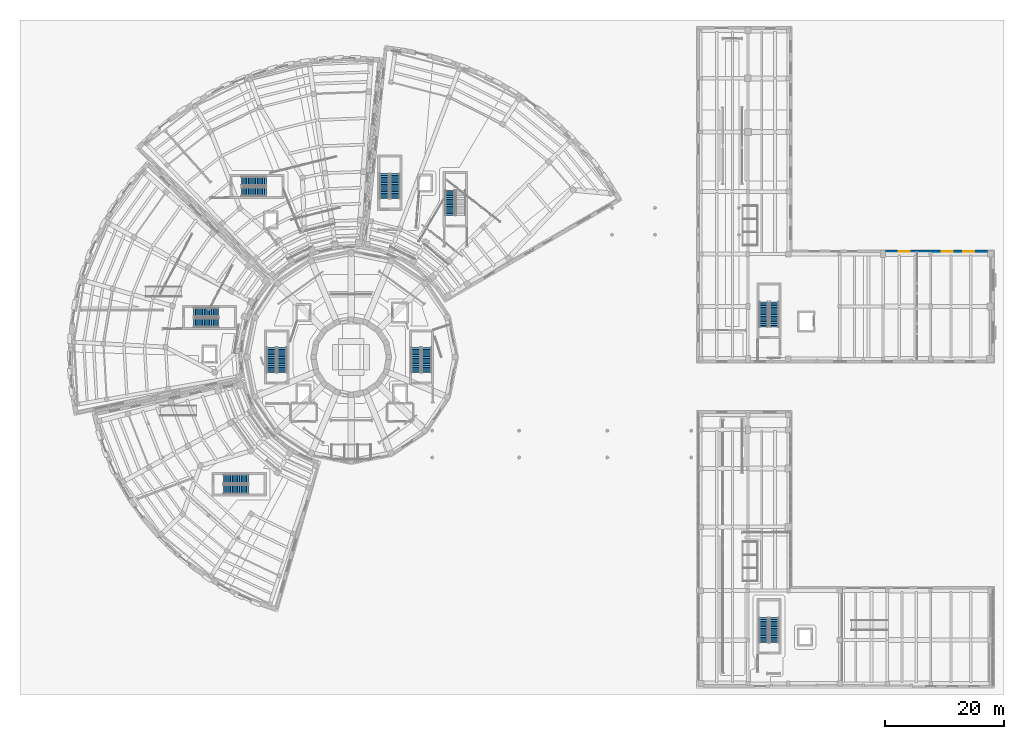
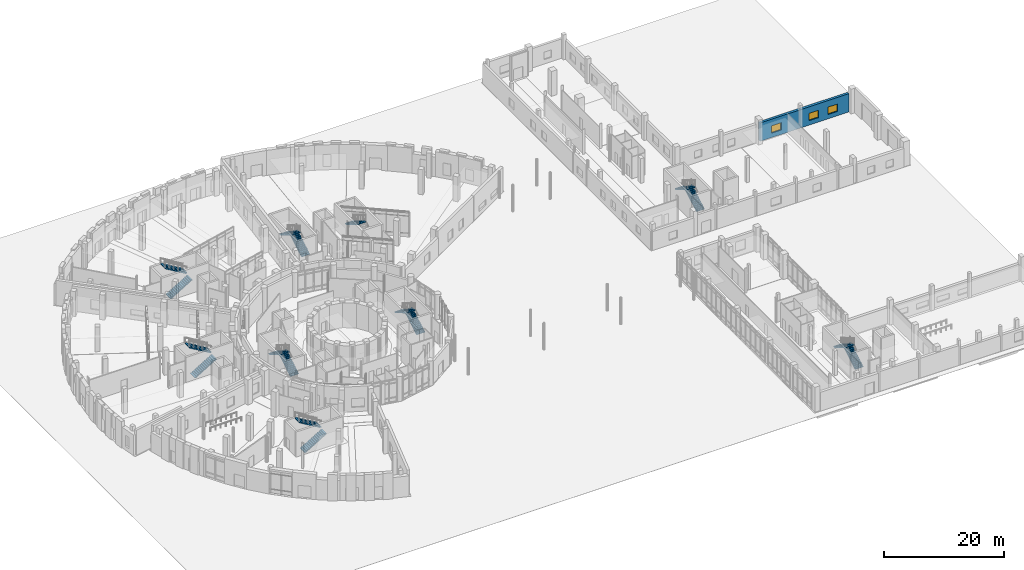
# One storey, part 55 of 74: 17 stair flights, 3 windows, 1 wall, 3 openings, 9 elements without a shape of their own.
"""IFC4 building model written with IfcOpenShell, lengths in metres."""

from ifc_helpers import new_model, si_unit, direction, frame, frame_2d, origin, place, context, subcontext, project, spatial, polyline, rectangle, outline, extrude, material, layer, layer_set, type_object, element, fill, aggregate, save


model = new_model("IFC4")

# Units and contexts
model_context = context("Model", 3, precision=1e-05, world=origin(), true_north=direction((0.0, 1.0)))
body_context = subcontext(model_context, "Body", "Model", "MODEL_VIEW")
ifc_project = project(units=[si_unit("LENGTHUNIT", "METRE"), si_unit("AREAUNIT", "SQUARE_METRE"), si_unit("VOLUMEUNIT", "CUBIC_METRE"), si_unit("PLANEANGLEUNIT", "RADIAN"), si_unit("MASSUNIT", "GRAM", prefix="KILO")], contexts=[model_context])

# Site, building, storey
site_placement = place(None, origin())
site = spatial("IfcSite", under=ifc_project, at=site_placement, CompositionType="ELEMENT")
building_placement = place(site_placement, origin())
building = spatial("IfcBuilding", under=site, at=building_placement, Name="Soyqirgoq Riverine Aquarium", CompositionType="ELEMENT")
storey_placement = place(building_placement, origin())
storey = spatial("IfcBuildingStorey", under=building, at=storey_placement, Name="L01", CompositionType="ELEMENT", Elevation=0.0)

# Wall, openings, windows
ifc_material_1 = material(Name="Honed travertine limestone cavity wall", Category="masonry")
ifc_layer = layer(ifc_material_1, 0.47998046875)
ifc_layer_set = layer_set([ifc_layer], Name="Honed travertine limestone cavity wall")
wall_type = type_object("IfcWallType", Name="TravertineCavityWall_480", PredefinedType="SOLIDWALL", material=ifc_layer_set)
wall_placement = place(storey_placement, frame((145.669921875, 74.75, 0.0), z_axis=(0.0, 0.0, 1.0), x_axis=(1.0, 0.0, 0.0)))
wall = element("IfcWall", 1, at=wall_placement, inside=storey, type_object=wall_type, Name="V7 L01 Exterior Travertine Wall 0372", PredefinedType="SOLIDWALL", context=body_context, shape_type="SweptSolid", body=[
    extrude(rectangle(XDim=17.16015625, YDim=0.47998046875, at=frame_2d((8.580078125, 0.0))), origin(), (0.0, 0.0, 1.0), 3.739990234375),
])
opening_1_placement = place(wall_placement, frame((2.2548828125, 0.0, 0.89990234375)))
opening_1 = element("IfcOpeningElement", 2, at=opening_1_placement, cuts=wall, Name="Opening WN-16", PredefinedType="OPENING", context=body_context, shape_type="SweptSolid", body=[
    extrude(rectangle(XDim=1.85009765625, YDim=1.5, at=frame_2d((0.925048828125, 0.75))), frame((0.0, 0.25, 0.0), z_axis=(0.0, -1.0, 0.0), x_axis=(1.0, 0.0, 0.0)), (0.0, 0.0, 1.0), 0.5),
])
opening_2_placement = place(wall_placement, frame((9.455078125, 0.0, 0.89990234375)))
opening_2 = element("IfcOpeningElement", 3, at=opening_2_placement, cuts=wall, Name="Opening WN-16", PredefinedType="OPENING", context=body_context, shape_type="SweptSolid", body=[
    extrude(rectangle(XDim=1.85009765625, YDim=1.5, at=frame_2d((0.925048828125, 0.75))), frame((0.0, 0.25, 0.0), z_axis=(0.0, -1.0, 0.0), x_axis=(1.0, 0.0, 0.0)), (0.0, 0.0, 1.0), 0.5),
])
opening_3_placement = place(wall_placement, frame((13.054931640625, 0.0, 0.89990234375)))
opening_3 = element("IfcOpeningElement", 4, at=opening_3_placement, cuts=wall, Name="Opening WN-16", PredefinedType="OPENING", context=body_context, shape_type="SweptSolid", body=[
    extrude(rectangle(XDim=1.85009765625, YDim=1.5, at=frame_2d((0.925048828125, 0.75))), frame((0.0, 0.25, 0.0), z_axis=(0.0, -1.0, 0.0), x_axis=(1.0, 0.0, 0.0)), (0.0, 0.0, 1.0), 0.5),
])
ifc_material_2 = material(Name="Thermally broken aluminium triple low-E window", Category="aluminium")
window_type = type_object("IfcWindowType", Name="Win_Lab_1850x1500", PartitioningType="DOUBLE_PANEL_VERTICAL", PredefinedType="WINDOW", material=ifc_material_2)
window_1_placement = place(opening_1_placement, origin())
window_1 = element("IfcWindow", 5, at=window_1_placement, inside=storey, type_object=window_type, Name="V7 L01 Facade Window 0324", OverallHeight=1.5, OverallWidth=1.85009765625, PartitioningType="DOUBLE_PANEL_VERTICAL", PredefinedType="WINDOW", context=body_context, shape_type="SweptSolid", body=[
    extrude(rectangle(XDim=1.85009765625, YDim=1.5, at=frame_2d((0.925048828125, 0.75))), frame((0.0, 0.030029296875, 0.0), z_axis=(0.0, -1.0, 0.0), x_axis=(1.0, 0.0, 0.0)), (0.0, 0.0, 1.0), 0.06005859375),
])
fill(opening_1, window_1)
window_2_placement = place(opening_2_placement, origin())
window_2 = element("IfcWindow", 6, at=window_2_placement, inside=storey, type_object=window_type, Name="V7 L01 Facade Window 0325", OverallHeight=1.5, OverallWidth=1.85009765625, PartitioningType="DOUBLE_PANEL_VERTICAL", PredefinedType="WINDOW", context=body_context, shape_type="SweptSolid", body=[
    extrude(rectangle(XDim=1.85009765625, YDim=1.5, at=frame_2d((0.925048828125, 0.75))), frame((0.0, 0.030029296875, 0.0), z_axis=(0.0, -1.0, 0.0), x_axis=(1.0, 0.0, 0.0)), (0.0, 0.0, 1.0), 0.06005859375),
])
fill(opening_2, window_2)
window_3_placement = place(opening_3_placement, origin())
window_3 = element("IfcWindow", 7, at=window_3_placement, inside=storey, type_object=window_type, Name="V7 L01 Facade Window 0326", OverallHeight=1.5, OverallWidth=1.85009765625, PartitioningType="DOUBLE_PANEL_VERTICAL", PredefinedType="WINDOW", context=body_context, shape_type="SweptSolid", body=[
    extrude(rectangle(XDim=1.85009765625, YDim=1.5, at=frame_2d((0.925048828125, 0.75))), frame((0.0, 0.030029296875, 0.0), z_axis=(0.0, -1.0, 0.0), x_axis=(1.0, 0.0, 0.0)), (0.0, 0.0, 1.0), 0.06005859375),
])
fill(opening_3, window_3)

# Stair, stair flights
ifc_material_3 = material(Name="Concrete C35/45", Category="concrete")
stair_type = type_object("IfcStairType", Name="CoreDoglegStair_RC", PredefinedType="HALF_TURN_STAIR", material=ifc_material_3)
stair_1_placement = place(storey_placement, origin())
stair_1 = element("IfcStair", 8, at=stair_1_placement, inside=storey, type_object=stair_type, Name="L01 Enclosed Exit Stair ST-1", PredefinedType="HALF_TURN_STAIR")
ifc_material_4 = material(Name="Concrete C35/45", Category="concrete")
stair_flight_type = type_object("IfcStairFlightType", Name="CoreStairFlight_RC", PredefinedType="STRAIGHT", material=ifc_material_4)
stair_flight_1_placement = place(storey_placement, frame((68.699951171875, 54.39990234375, 0.0), z_axis=(0.0, 0.0, 1.0), x_axis=(0.0, 1.0, 0.0)))
stair_flight_1 = element("IfcStairFlight", 9, at=stair_flight_1_placement, type_object=stair_flight_type, Name="ST-1 flight 1", NumberOfRisers=15, NumberOfTreads=14, PredefinedType="STRAIGHT", RiserHeight=0.18, TreadLength=0.3, context=body_context, shape_type="SweptSolid", body=[
    extrude(outline(polyline([(0.0, 0.0), (0.0, 0.179931640625), (0.300048828125, 0.179931640625), (0.300048828125, 0.360107421875), (0.60009765625, 0.360107421875), (0.60009765625, 0.5400390625), (0.89990234375, 0.5400390625), (0.89990234375, 0.719970703125), (1.199951171875, 0.719970703125), (1.199951171875, 0.89990234375), (1.5, 0.89990234375), (1.5, 1.080078125), (1.800048828125, 1.080078125), (1.800048828125, 1.260009765625), (2.10009765625, 1.260009765625), (2.10009765625, 1.43994140625), (2.39990234375, 1.43994140625), (2.39990234375, 1.6201171875), (2.699951171875, 1.6201171875), (2.699951171875, 1.800048828125), (3.0, 1.800048828125), (3.0, 1.97998046875), (3.300048828125, 1.97998046875), (3.300048828125, 2.159912109375), (3.60009765625, 2.159912109375), (3.60009765625, 2.340087890625), (3.89990234375, 2.340087890625), (3.89990234375, 2.52001953125), (4.199951171875, 2.52001953125), (4.199951171875, 2.699951171875), (4.199951171875, 2.34521484375), (0.291259765625, 0.0), (0.0, 0.0)])), frame((0.0, 0.800048828125, 0.0), z_axis=(0.0, -1.0, 0.0), x_axis=(1.0, 0.0, 0.0)), (0.0, 0.0, 1.0), 1.60009765625),
])
stair_flight_2_placement = place(storey_placement, frame((66.89990234375, 58.60009765625, 2.699951171875), z_axis=(0.0, 0.0, 1.0), x_axis=(0.0, -1.0, 0.0)))
stair_flight_2 = element("IfcStairFlight", 10, at=stair_flight_2_placement, type_object=stair_flight_type, Name="ST-1 flight 2", NumberOfRisers=15, NumberOfTreads=14, PredefinedType="STRAIGHT", RiserHeight=0.18, TreadLength=0.3, context=body_context, shape_type="SweptSolid", body=[
    extrude(outline(polyline([(0.0, 0.0), (0.0, 0.179931640625), (0.300048828125, 0.179931640625), (0.300048828125, 0.360107421875), (0.60009765625, 0.360107421875), (0.60009765625, 0.5400390625), (0.89990234375, 0.5400390625), (0.89990234375, 0.719970703125), (1.199951171875, 0.719970703125), (1.199951171875, 0.89990234375), (1.5, 0.89990234375), (1.5, 1.080078125), (1.800048828125, 1.080078125), (1.800048828125, 1.260009765625), (2.10009765625, 1.260009765625), (2.10009765625, 1.43994140625), (2.39990234375, 1.43994140625), (2.39990234375, 1.6201171875), (2.699951171875, 1.6201171875), (2.699951171875, 1.800048828125), (3.0, 1.800048828125), (3.0, 1.97998046875), (3.300048828125, 1.97998046875), (3.300048828125, 2.159912109375), (3.60009765625, 2.159912109375), (3.60009765625, 2.340087890625), (3.89990234375, 2.340087890625), (3.89990234375, 2.52001953125), (4.199951171875, 2.52001953125), (4.199951171875, 2.699951171875), (4.199951171875, 2.34521484375), (0.291259765625, 0.0), (0.0, 0.0)])), frame((0.0, 0.800048828125, 0.0), z_axis=(0.0, -1.0, 0.0), x_axis=(1.0, 0.0, 0.0)), (0.0, 0.0, 1.0), 1.60009765625),
])
aggregate(stair_1, [stair_flight_1, stair_flight_2])

stair_2_placement = place(storey_placement, origin())
stair_2 = element("IfcStair", 11, at=stair_2_placement, inside=storey, type_object=stair_type, Name="L01 Enclosed Exit Stair ST-9", PredefinedType="HALF_TURN_STAIR")
stair_flight_3_placement = place(storey_placement, frame((44.39990234375, 54.39990234375, 0.0), z_axis=(0.0, 0.0, 1.0), x_axis=(0.0, 1.0, 0.0)))
stair_flight_3 = element("IfcStairFlight", 12, at=stair_flight_3_placement, type_object=stair_flight_type, Name="ST-9 flight 1", NumberOfRisers=15, NumberOfTreads=14, PredefinedType="STRAIGHT", RiserHeight=0.18, TreadLength=0.3, context=body_context, shape_type="SweptSolid", body=[
    extrude(outline(polyline([(0.0, 0.0), (0.0, 0.179931640625), (0.300048828125, 0.179931640625), (0.300048828125, 0.360107421875), (0.60009765625, 0.360107421875), (0.60009765625, 0.5400390625), (0.89990234375, 0.5400390625), (0.89990234375, 0.719970703125), (1.199951171875, 0.719970703125), (1.199951171875, 0.89990234375), (1.5, 0.89990234375), (1.5, 1.080078125), (1.800048828125, 1.080078125), (1.800048828125, 1.260009765625), (2.10009765625, 1.260009765625), (2.10009765625, 1.43994140625), (2.39990234375, 1.43994140625), (2.39990234375, 1.6201171875), (2.699951171875, 1.6201171875), (2.699951171875, 1.800048828125), (3.0, 1.800048828125), (3.0, 1.97998046875), (3.300048828125, 1.97998046875), (3.300048828125, 2.159912109375), (3.60009765625, 2.159912109375), (3.60009765625, 2.340087890625), (3.89990234375, 2.340087890625), (3.89990234375, 2.52001953125), (4.199951171875, 2.52001953125), (4.199951171875, 2.699951171875), (4.199951171875, 2.34521484375), (0.291259765625, 0.0), (0.0, 0.0)])), frame((0.0, 0.800048828125, 0.0), z_axis=(0.0, -1.0, 0.0), x_axis=(1.0, 0.0, 0.0)), (0.0, 0.0, 1.0), 1.60009765625),
])
stair_flight_4_placement = place(storey_placement, frame((42.60009765625, 58.60009765625, 2.699951171875), z_axis=(0.0, 0.0, 1.0), x_axis=(0.0, -1.0, 0.0)))
stair_flight_4 = element("IfcStairFlight", 13, at=stair_flight_4_placement, type_object=stair_flight_type, Name="ST-9 flight 2", NumberOfRisers=15, NumberOfTreads=14, PredefinedType="STRAIGHT", RiserHeight=0.18, TreadLength=0.3, context=body_context, shape_type="SweptSolid", body=[
    extrude(outline(polyline([(0.0, 0.0), (0.0, 0.179931640625), (0.300048828125, 0.179931640625), (0.300048828125, 0.360107421875), (0.60009765625, 0.360107421875), (0.60009765625, 0.5400390625), (0.89990234375, 0.5400390625), (0.89990234375, 0.719970703125), (1.199951171875, 0.719970703125), (1.199951171875, 0.89990234375), (1.5, 0.89990234375), (1.5, 1.080078125), (1.800048828125, 1.080078125), (1.800048828125, 1.260009765625), (2.10009765625, 1.260009765625), (2.10009765625, 1.43994140625), (2.39990234375, 1.43994140625), (2.39990234375, 1.6201171875), (2.699951171875, 1.6201171875), (2.699951171875, 1.800048828125), (3.0, 1.800048828125), (3.0, 1.97998046875), (3.300048828125, 1.97998046875), (3.300048828125, 2.159912109375), (3.60009765625, 2.159912109375), (3.60009765625, 2.340087890625), (3.89990234375, 2.340087890625), (3.89990234375, 2.52001953125), (4.199951171875, 2.52001953125), (4.199951171875, 2.699951171875), (4.199951171875, 2.34521484375), (0.291259765625, 0.0), (0.0, 0.0)])), frame((0.0, 0.800048828125, 0.0), z_axis=(0.0, -1.0, 0.0), x_axis=(1.0, 0.0, 0.0)), (0.0, 0.0, 1.0), 1.60009765625),
])
aggregate(stair_2, [stair_flight_3, stair_flight_4])

stair_3_placement = place(storey_placement, origin())
stair_3 = element("IfcStair", 14, at=stair_3_placement, inside=storey, type_object=stair_type, Name="L01 Enclosed Exit Stair ST-2", PredefinedType="HALF_TURN_STAIR")
stair_flight_5_placement = place(storey_placement, frame((34.550048828125, 34.77490234375, 0.0), z_axis=(0.0, 0.0, 1.0), x_axis=(1.0, 0.0, 0.0)))
stair_flight_5 = element("IfcStairFlight", 15, at=stair_flight_5_placement, type_object=stair_flight_type, Name="ST-2 flight 1", NumberOfRisers=15, NumberOfTreads=14, PredefinedType="STRAIGHT", RiserHeight=0.18, TreadLength=0.3, context=body_context, shape_type="SweptSolid", body=[
    extrude(outline(polyline([(0.0, 0.0), (0.0, 0.179931640625), (0.300048828125, 0.179931640625), (0.300048828125, 0.360107421875), (0.60009765625, 0.360107421875), (0.60009765625, 0.5400390625), (0.89990234375, 0.5400390625), (0.89990234375, 0.719970703125), (1.199951171875, 0.719970703125), (1.199951171875, 0.89990234375), (1.5, 0.89990234375), (1.5, 1.080078125), (1.800048828125, 1.080078125), (1.800048828125, 1.260009765625), (2.10009765625, 1.260009765625), (2.10009765625, 1.43994140625), (2.39990234375, 1.43994140625), (2.39990234375, 1.6201171875), (2.699951171875, 1.6201171875), (2.699951171875, 1.800048828125), (3.0, 1.800048828125), (3.0, 1.97998046875), (3.300048828125, 1.97998046875), (3.300048828125, 2.159912109375), (3.60009765625, 2.159912109375), (3.60009765625, 2.340087890625), (3.89990234375, 2.340087890625), (3.89990234375, 2.52001953125), (4.199951171875, 2.52001953125), (4.199951171875, 2.699951171875), (4.199951171875, 2.34521484375), (0.291259765625, 0.0), (0.0, 0.0)])), frame((0.0, 0.77490234375, 0.0), z_axis=(0.0, -1.0, 0.0), x_axis=(1.0, 0.0, 0.0)), (0.0, 0.0, 1.0), 1.550048828125),
])
stair_flight_6_placement = place(storey_placement, frame((38.75, 36.52490234375, 2.699951171875), z_axis=(0.0, 0.0, 1.0), x_axis=(-1.0, 0.0, 0.0)))
stair_flight_6 = element("IfcStairFlight", 16, at=stair_flight_6_placement, type_object=stair_flight_type, Name="ST-2 flight 2", NumberOfRisers=15, NumberOfTreads=14, PredefinedType="STRAIGHT", RiserHeight=0.18, TreadLength=0.3, context=body_context, shape_type="SweptSolid", body=[
    extrude(outline(polyline([(0.0, 0.0), (0.0, 0.179931640625), (0.300048828125, 0.179931640625), (0.300048828125, 0.360107421875), (0.60009765625, 0.360107421875), (0.60009765625, 0.5400390625), (0.89990234375, 0.5400390625), (0.89990234375, 0.719970703125), (1.199951171875, 0.719970703125), (1.199951171875, 0.89990234375), (1.5, 0.89990234375), (1.5, 1.080078125), (1.800048828125, 1.080078125), (1.800048828125, 1.260009765625), (2.10009765625, 1.260009765625), (2.10009765625, 1.43994140625), (2.39990234375, 1.43994140625), (2.39990234375, 1.6201171875), (2.699951171875, 1.6201171875), (2.699951171875, 1.800048828125), (3.0, 1.800048828125), (3.0, 1.97998046875), (3.300048828125, 1.97998046875), (3.300048828125, 2.159912109375), (3.60009765625, 2.159912109375), (3.60009765625, 2.340087890625), (3.89990234375, 2.340087890625), (3.89990234375, 2.52001953125), (4.199951171875, 2.52001953125), (4.199951171875, 2.699951171875), (4.199951171875, 2.34521484375), (0.291259765625, 0.0), (0.0, 0.0)])), frame((0.0, 0.77490234375, 0.0), z_axis=(0.0, -1.0, 0.0), x_axis=(1.0, 0.0, 0.0)), (0.0, 0.0, 1.0), 1.550048828125),
])
aggregate(stair_3, [stair_flight_5, stair_flight_6])

stair_4_placement = place(storey_placement, origin())
stair_4 = element("IfcStair", 17, at=stair_4_placement, inside=storey, type_object=stair_type, Name="L01 Enclosed Exit Stair ST-3", PredefinedType="HALF_TURN_STAIR")
stair_flight_7_placement = place(storey_placement, frame((29.550048828125, 62.77490234375, 0.0), z_axis=(0.0, 0.0, 1.0), x_axis=(1.0, 0.0, 0.0)))
stair_flight_7 = element("IfcStairFlight", 18, at=stair_flight_7_placement, type_object=stair_flight_type, Name="ST-3 flight 1", NumberOfRisers=15, NumberOfTreads=14, PredefinedType="STRAIGHT", RiserHeight=0.18, TreadLength=0.3, context=body_context, shape_type="SweptSolid", body=[
    extrude(outline(polyline([(0.0, 0.0), (0.0, 0.179931640625), (0.300048828125, 0.179931640625), (0.300048828125, 0.360107421875), (0.60009765625, 0.360107421875), (0.60009765625, 0.5400390625), (0.89990234375, 0.5400390625), (0.89990234375, 0.719970703125), (1.199951171875, 0.719970703125), (1.199951171875, 0.89990234375), (1.5, 0.89990234375), (1.5, 1.080078125), (1.800048828125, 1.080078125), (1.800048828125, 1.260009765625), (2.10009765625, 1.260009765625), (2.10009765625, 1.43994140625), (2.39990234375, 1.43994140625), (2.39990234375, 1.6201171875), (2.699951171875, 1.6201171875), (2.699951171875, 1.800048828125), (3.0, 1.800048828125), (3.0, 1.97998046875), (3.300048828125, 1.97998046875), (3.300048828125, 2.159912109375), (3.60009765625, 2.159912109375), (3.60009765625, 2.340087890625), (3.89990234375, 2.340087890625), (3.89990234375, 2.52001953125), (4.199951171875, 2.52001953125), (4.199951171875, 2.699951171875), (4.199951171875, 2.34521484375), (0.291259765625, 0.0), (0.0, 0.0)])), frame((0.0, 0.77490234375, 0.0), z_axis=(0.0, -1.0, 0.0), x_axis=(1.0, 0.0, 0.0)), (0.0, 0.0, 1.0), 1.550048828125),
])
stair_flight_8_placement = place(storey_placement, frame((33.75, 64.52490234375, 2.699951171875), z_axis=(0.0, 0.0, 1.0), x_axis=(-1.0, 0.0, 0.0)))
stair_flight_8 = element("IfcStairFlight", 19, at=stair_flight_8_placement, type_object=stair_flight_type, Name="ST-3 flight 2", NumberOfRisers=15, NumberOfTreads=14, PredefinedType="STRAIGHT", RiserHeight=0.18, TreadLength=0.3, context=body_context, shape_type="SweptSolid", body=[
    extrude(outline(polyline([(0.0, 0.0), (0.0, 0.179931640625), (0.300048828125, 0.179931640625), (0.300048828125, 0.360107421875), (0.60009765625, 0.360107421875), (0.60009765625, 0.5400390625), (0.89990234375, 0.5400390625), (0.89990234375, 0.719970703125), (1.199951171875, 0.719970703125), (1.199951171875, 0.89990234375), (1.5, 0.89990234375), (1.5, 1.080078125), (1.800048828125, 1.080078125), (1.800048828125, 1.260009765625), (2.10009765625, 1.260009765625), (2.10009765625, 1.43994140625), (2.39990234375, 1.43994140625), (2.39990234375, 1.6201171875), (2.699951171875, 1.6201171875), (2.699951171875, 1.800048828125), (3.0, 1.800048828125), (3.0, 1.97998046875), (3.300048828125, 1.97998046875), (3.300048828125, 2.159912109375), (3.60009765625, 2.159912109375), (3.60009765625, 2.340087890625), (3.89990234375, 2.340087890625), (3.89990234375, 2.52001953125), (4.199951171875, 2.52001953125), (4.199951171875, 2.699951171875), (4.199951171875, 2.34521484375), (0.291259765625, 0.0), (0.0, 0.0)])), frame((0.0, 0.77490234375, 0.0), z_axis=(0.0, -1.0, 0.0), x_axis=(1.0, 0.0, 0.0)), (0.0, 0.0, 1.0), 1.550048828125),
])
aggregate(stair_4, [stair_flight_7, stair_flight_8])

stair_5_placement = place(storey_placement, origin())
stair_5 = element("IfcStair", 20, at=stair_5_placement, inside=storey, type_object=stair_type, Name="L01 Enclosed Exit Stair ST-4", PredefinedType="HALF_TURN_STAIR")
stair_flight_9_placement = place(storey_placement, frame((37.550048828125, 84.77490234375, 0.0), z_axis=(0.0, 0.0, 1.0), x_axis=(1.0, 0.0, 0.0)))
stair_flight_9 = element("IfcStairFlight", 21, at=stair_flight_9_placement, type_object=stair_flight_type, Name="ST-4 flight 1", NumberOfRisers=15, NumberOfTreads=14, PredefinedType="STRAIGHT", RiserHeight=0.18, TreadLength=0.3, context=body_context, shape_type="SweptSolid", body=[
    extrude(outline(polyline([(0.0, 0.0), (0.0, 0.179931640625), (0.300048828125, 0.179931640625), (0.300048828125, 0.360107421875), (0.60009765625, 0.360107421875), (0.60009765625, 0.5400390625), (0.89990234375, 0.5400390625), (0.89990234375, 0.719970703125), (1.199951171875, 0.719970703125), (1.199951171875, 0.89990234375), (1.5, 0.89990234375), (1.5, 1.080078125), (1.800048828125, 1.080078125), (1.800048828125, 1.260009765625), (2.10009765625, 1.260009765625), (2.10009765625, 1.43994140625), (2.39990234375, 1.43994140625), (2.39990234375, 1.6201171875), (2.699951171875, 1.6201171875), (2.699951171875, 1.800048828125), (3.0, 1.800048828125), (3.0, 1.97998046875), (3.300048828125, 1.97998046875), (3.300048828125, 2.159912109375), (3.60009765625, 2.159912109375), (3.60009765625, 2.340087890625), (3.89990234375, 2.340087890625), (3.89990234375, 2.52001953125), (4.199951171875, 2.52001953125), (4.199951171875, 2.699951171875), (4.199951171875, 2.34521484375), (0.291259765625, 0.0), (0.0, 0.0)])), frame((0.0, 0.77490234375, 0.0), z_axis=(0.0, -1.0, 0.0), x_axis=(1.0, 0.0, 0.0)), (0.0, 0.0, 1.0), 1.550048828125),
])
stair_flight_10_placement = place(storey_placement, frame((41.75, 86.52490234375, 2.699951171875), z_axis=(0.0, 0.0, 1.0), x_axis=(-1.0, 0.0, 0.0)))
stair_flight_10 = element("IfcStairFlight", 22, at=stair_flight_10_placement, type_object=stair_flight_type, Name="ST-4 flight 2", NumberOfRisers=15, NumberOfTreads=14, PredefinedType="STRAIGHT", RiserHeight=0.18, TreadLength=0.3, context=body_context, shape_type="SweptSolid", body=[
    extrude(outline(polyline([(0.0, 0.0), (0.0, 0.179931640625), (0.300048828125, 0.179931640625), (0.300048828125, 0.360107421875), (0.60009765625, 0.360107421875), (0.60009765625, 0.5400390625), (0.89990234375, 0.5400390625), (0.89990234375, 0.719970703125), (1.199951171875, 0.719970703125), (1.199951171875, 0.89990234375), (1.5, 0.89990234375), (1.5, 1.080078125), (1.800048828125, 1.080078125), (1.800048828125, 1.260009765625), (2.10009765625, 1.260009765625), (2.10009765625, 1.43994140625), (2.39990234375, 1.43994140625), (2.39990234375, 1.6201171875), (2.699951171875, 1.6201171875), (2.699951171875, 1.800048828125), (3.0, 1.800048828125), (3.0, 1.97998046875), (3.300048828125, 1.97998046875), (3.300048828125, 2.159912109375), (3.60009765625, 2.159912109375), (3.60009765625, 2.340087890625), (3.89990234375, 2.340087890625), (3.89990234375, 2.52001953125), (4.199951171875, 2.52001953125), (4.199951171875, 2.699951171875), (4.199951171875, 2.34521484375), (0.291259765625, 0.0), (0.0, 0.0)])), frame((0.0, 0.77490234375, 0.0), z_axis=(0.0, -1.0, 0.0), x_axis=(1.0, 0.0, 0.0)), (0.0, 0.0, 1.0), 1.550048828125),
])
aggregate(stair_5, [stair_flight_9, stair_flight_10])

stair_6_placement = place(storey_placement, origin())
stair_6 = element("IfcStair", 23, at=stair_6_placement, inside=storey, type_object=stair_type, Name="L01 Enclosed Exit Stair ST-5", PredefinedType="HALF_TURN_STAIR")
stair_flight_11_placement = place(storey_placement, frame((63.39990234375, 83.60009765625, 0.0), z_axis=(0.0, 0.0, 1.0), x_axis=(0.0, 1.0, 0.0)))
stair_flight_11 = element("IfcStairFlight", 24, at=stair_flight_11_placement, type_object=stair_flight_type, Name="ST-5 flight 1", NumberOfRisers=15, NumberOfTreads=14, PredefinedType="STRAIGHT", RiserHeight=0.18, TreadLength=0.3, context=body_context, shape_type="SweptSolid", body=[
    extrude(outline(polyline([(0.0, 0.0), (0.0, 0.179931640625), (0.300048828125, 0.179931640625), (0.300048828125, 0.360107421875), (0.60009765625, 0.360107421875), (0.60009765625, 0.5400390625), (0.89990234375, 0.5400390625), (0.89990234375, 0.719970703125), (1.199951171875, 0.719970703125), (1.199951171875, 0.89990234375), (1.5, 0.89990234375), (1.5, 1.080078125), (1.800048828125, 1.080078125), (1.800048828125, 1.260009765625), (2.10009765625, 1.260009765625), (2.10009765625, 1.43994140625), (2.39990234375, 1.43994140625), (2.39990234375, 1.6201171875), (2.699951171875, 1.6201171875), (2.699951171875, 1.800048828125), (3.0, 1.800048828125), (3.0, 1.97998046875), (3.300048828125, 1.97998046875), (3.300048828125, 2.159912109375), (3.60009765625, 2.159912109375), (3.60009765625, 2.340087890625), (3.89990234375, 2.340087890625), (3.89990234375, 2.52001953125), (4.199951171875, 2.52001953125), (4.199951171875, 2.699951171875), (4.199951171875, 2.34521484375), (0.291259765625, 0.0), (0.0, 0.0)])), frame((0.0, 0.800048828125, 0.0), z_axis=(0.0, -1.0, 0.0), x_axis=(1.0, 0.0, 0.0)), (0.0, 0.0, 1.0), 1.60009765625),
])
stair_flight_12_placement = place(storey_placement, frame((61.60009765625, 87.800048828125, 2.699951171875), z_axis=(0.0, 0.0, 1.0), x_axis=(0.0, -1.0, 0.0)))
stair_flight_12 = element("IfcStairFlight", 25, at=stair_flight_12_placement, type_object=stair_flight_type, Name="ST-5 flight 2", NumberOfRisers=15, NumberOfTreads=14, PredefinedType="STRAIGHT", RiserHeight=0.18, TreadLength=0.3, context=body_context, shape_type="SweptSolid", body=[
    extrude(outline(polyline([(0.0, 0.0), (0.0, 0.179931640625), (0.300048828125, 0.179931640625), (0.300048828125, 0.360107421875), (0.60009765625, 0.360107421875), (0.60009765625, 0.5400390625), (0.89990234375, 0.5400390625), (0.89990234375, 0.719970703125), (1.199951171875, 0.719970703125), (1.199951171875, 0.89990234375), (1.5, 0.89990234375), (1.5, 1.080078125), (1.800048828125, 1.080078125), (1.800048828125, 1.260009765625), (2.10009765625, 1.260009765625), (2.10009765625, 1.43994140625), (2.39990234375, 1.43994140625), (2.39990234375, 1.6201171875), (2.699951171875, 1.6201171875), (2.699951171875, 1.800048828125), (3.0, 1.800048828125), (3.0, 1.97998046875), (3.300048828125, 1.97998046875), (3.300048828125, 2.159912109375), (3.60009765625, 2.159912109375), (3.60009765625, 2.340087890625), (3.89990234375, 2.340087890625), (3.89990234375, 2.52001953125), (4.199951171875, 2.52001953125), (4.199951171875, 2.699951171875), (4.199951171875, 2.34521484375), (0.291259765625, 0.0), (0.0, 0.0)])), frame((0.0, 0.800048828125, 0.0), z_axis=(0.0, -1.0, 0.0), x_axis=(1.0, 0.0, 0.0)), (0.0, 0.0, 1.0), 1.60009765625),
])
aggregate(stair_6, [stair_flight_11, stair_flight_12])

# Stair, stair flight
stair_7_placement = place(storey_placement, origin())
stair_7 = element("IfcStair", 26, at=stair_7_placement, inside=storey, type_object=stair_type, Name="L01 Enclosed Exit Stair ST-6", PredefinedType="HALF_TURN_STAIR")
stair_flight_13_placement = place(storey_placement, frame((72.60009765625, 85.0, 2.699951171875), z_axis=(0.0, 0.0, 1.0), x_axis=(0.0, -1.0, 0.0)))
stair_flight_13 = element("IfcStairFlight", 27, at=stair_flight_13_placement, type_object=stair_flight_type, Name="ST-6 flight 2", NumberOfRisers=15, NumberOfTreads=14, PredefinedType="STRAIGHT", RiserHeight=0.18, TreadLength=0.3, context=body_context, shape_type="SweptSolid", body=[
    extrude(outline(polyline([(0.0, 0.0), (0.0, 0.179931640625), (0.300048828125, 0.179931640625), (0.300048828125, 0.360107421875), (0.60009765625, 0.360107421875), (0.60009765625, 0.5400390625), (0.89990234375, 0.5400390625), (0.89990234375, 0.719970703125), (1.199951171875, 0.719970703125), (1.199951171875, 0.89990234375), (1.5, 0.89990234375), (1.5, 1.080078125), (1.800048828125, 1.080078125), (1.800048828125, 1.260009765625), (2.10009765625, 1.260009765625), (2.10009765625, 1.43994140625), (2.39990234375, 1.43994140625), (2.39990234375, 1.6201171875), (2.699951171875, 1.6201171875), (2.699951171875, 1.800048828125), (3.0, 1.800048828125), (3.0, 1.97998046875), (3.300048828125, 1.97998046875), (3.300048828125, 2.159912109375), (3.60009765625, 2.159912109375), (3.60009765625, 2.340087890625), (3.89990234375, 2.340087890625), (3.89990234375, 2.52001953125), (4.199951171875, 2.52001953125), (4.199951171875, 2.699951171875), (4.199951171875, 2.34521484375), (0.291259765625, 0.0), (0.0, 0.0)])), frame((0.0, 0.800048828125, 0.0), z_axis=(0.0, -1.0, 0.0), x_axis=(1.0, 0.0, 0.0)), (0.0, 0.0, 1.0), 1.60009765625),
])
aggregate(stair_7, [stair_flight_13])

# Stair, stair flights
stair_8_placement = place(storey_placement, origin())
stair_8 = element("IfcStair", 28, at=stair_8_placement, inside=storey, type_object=stair_type, Name="L01 Enclosed Exit Stair ST-7", PredefinedType="HALF_TURN_STAIR")
stair_flight_14_placement = place(storey_placement, frame((127.02490234375, 9.050048828125, 0.0), z_axis=(0.0, 0.0, 1.0), x_axis=(0.0, 1.0, 0.0)))
stair_flight_14 = element("IfcStairFlight", 29, at=stair_flight_14_placement, type_object=stair_flight_type, Name="ST-7 flight 1", NumberOfRisers=15, NumberOfTreads=14, PredefinedType="STRAIGHT", RiserHeight=0.18, TreadLength=0.3, context=body_context, shape_type="SweptSolid", body=[
    extrude(outline(polyline([(0.0, 0.0), (0.0, 0.179931640625), (0.300048828125, 0.179931640625), (0.300048828125, 0.360107421875), (0.60009765625, 0.360107421875), (0.60009765625, 0.5400390625), (0.89990234375, 0.5400390625), (0.89990234375, 0.719970703125), (1.199951171875, 0.719970703125), (1.199951171875, 0.89990234375), (1.5, 0.89990234375), (1.5, 1.080078125), (1.800048828125, 1.080078125), (1.800048828125, 1.260009765625), (2.10009765625, 1.260009765625), (2.10009765625, 1.43994140625), (2.39990234375, 1.43994140625), (2.39990234375, 1.6201171875), (2.699951171875, 1.6201171875), (2.699951171875, 1.800048828125), (3.0, 1.800048828125), (3.0, 1.97998046875), (3.300048828125, 1.97998046875), (3.300048828125, 2.159912109375), (3.60009765625, 2.159912109375), (3.60009765625, 2.340087890625), (3.89990234375, 2.340087890625), (3.89990234375, 2.52001953125), (4.199951171875, 2.52001953125), (4.199951171875, 2.699951171875), (4.199951171875, 2.34521484375), (0.291259765625, 0.0), (0.0, 0.0)])), frame((0.0, 0.77490234375, 0.0), z_axis=(0.0, -1.0, 0.0), x_axis=(1.0, 0.0, 0.0)), (0.0, 0.0, 1.0), 1.550048828125),
])
stair_flight_15_placement = place(storey_placement, frame((125.27490234375, 13.25, 2.699951171875), z_axis=(0.0, 0.0, 1.0), x_axis=(0.0, -1.0, 0.0)))
stair_flight_15 = element("IfcStairFlight", 30, at=stair_flight_15_placement, type_object=stair_flight_type, Name="ST-7 flight 2", NumberOfRisers=15, NumberOfTreads=14, PredefinedType="STRAIGHT", RiserHeight=0.18, TreadLength=0.3, context=body_context, shape_type="SweptSolid", body=[
    extrude(outline(polyline([(0.0, 0.0), (0.0, 0.179931640625), (0.300048828125, 0.179931640625), (0.300048828125, 0.360107421875), (0.60009765625, 0.360107421875), (0.60009765625, 0.5400390625), (0.89990234375, 0.5400390625), (0.89990234375, 0.719970703125), (1.199951171875, 0.719970703125), (1.199951171875, 0.89990234375), (1.5, 0.89990234375), (1.5, 1.080078125), (1.800048828125, 1.080078125), (1.800048828125, 1.260009765625), (2.10009765625, 1.260009765625), (2.10009765625, 1.43994140625), (2.39990234375, 1.43994140625), (2.39990234375, 1.6201171875), (2.699951171875, 1.6201171875), (2.699951171875, 1.800048828125), (3.0, 1.800048828125), (3.0, 1.97998046875), (3.300048828125, 1.97998046875), (3.300048828125, 2.159912109375), (3.60009765625, 2.159912109375), (3.60009765625, 2.340087890625), (3.89990234375, 2.340087890625), (3.89990234375, 2.52001953125), (4.199951171875, 2.52001953125), (4.199951171875, 2.699951171875), (4.199951171875, 2.34521484375), (0.291259765625, 0.0), (0.0, 0.0)])), frame((0.0, 0.77490234375, 0.0), z_axis=(0.0, -1.0, 0.0), x_axis=(1.0, 0.0, 0.0)), (0.0, 0.0, 1.0), 1.550048828125),
])
aggregate(stair_8, [stair_flight_14, stair_flight_15])

stair_9_placement = place(storey_placement, origin())
stair_9 = element("IfcStair", 31, at=stair_9_placement, inside=storey, type_object=stair_type, Name="L01 Enclosed Exit Stair ST-8", PredefinedType="HALF_TURN_STAIR")
stair_flight_16_placement = place(storey_placement, frame((127.02490234375, 62.050048828125, 0.0), z_axis=(0.0, 0.0, 1.0), x_axis=(0.0, 1.0, 0.0)))
stair_flight_16 = element("IfcStairFlight", 32, at=stair_flight_16_placement, type_object=stair_flight_type, Name="ST-8 flight 1", NumberOfRisers=15, NumberOfTreads=14, PredefinedType="STRAIGHT", RiserHeight=0.18, TreadLength=0.3, context=body_context, shape_type="SweptSolid", body=[
    extrude(outline(polyline([(0.0, 0.0), (0.0, 0.179931640625), (0.300048828125, 0.179931640625), (0.300048828125, 0.360107421875), (0.60009765625, 0.360107421875), (0.60009765625, 0.5400390625), (0.89990234375, 0.5400390625), (0.89990234375, 0.719970703125), (1.199951171875, 0.719970703125), (1.199951171875, 0.89990234375), (1.5, 0.89990234375), (1.5, 1.080078125), (1.800048828125, 1.080078125), (1.800048828125, 1.260009765625), (2.10009765625, 1.260009765625), (2.10009765625, 1.43994140625), (2.39990234375, 1.43994140625), (2.39990234375, 1.6201171875), (2.699951171875, 1.6201171875), (2.699951171875, 1.800048828125), (3.0, 1.800048828125), (3.0, 1.97998046875), (3.300048828125, 1.97998046875), (3.300048828125, 2.159912109375), (3.60009765625, 2.159912109375), (3.60009765625, 2.340087890625), (3.89990234375, 2.340087890625), (3.89990234375, 2.52001953125), (4.199951171875, 2.52001953125), (4.199951171875, 2.699951171875), (4.199951171875, 2.34521484375), (0.291259765625, 0.0), (0.0, 0.0)])), frame((0.0, 0.77490234375, 0.0), z_axis=(0.0, -1.0, 0.0), x_axis=(1.0, 0.0, 0.0)), (0.0, 0.0, 1.0), 1.550048828125),
])
stair_flight_17_placement = place(storey_placement, frame((125.27490234375, 66.25, 2.699951171875), z_axis=(0.0, 0.0, 1.0), x_axis=(0.0, -1.0, 0.0)))
stair_flight_17 = element("IfcStairFlight", 33, at=stair_flight_17_placement, type_object=stair_flight_type, Name="ST-8 flight 2", NumberOfRisers=15, NumberOfTreads=14, PredefinedType="STRAIGHT", RiserHeight=0.18, TreadLength=0.3, context=body_context, shape_type="SweptSolid", body=[
    extrude(outline(polyline([(0.0, 0.0), (0.0, 0.179931640625), (0.300048828125, 0.179931640625), (0.300048828125, 0.360107421875), (0.60009765625, 0.360107421875), (0.60009765625, 0.5400390625), (0.89990234375, 0.5400390625), (0.89990234375, 0.719970703125), (1.199951171875, 0.719970703125), (1.199951171875, 0.89990234375), (1.5, 0.89990234375), (1.5, 1.080078125), (1.800048828125, 1.080078125), (1.800048828125, 1.260009765625), (2.10009765625, 1.260009765625), (2.10009765625, 1.43994140625), (2.39990234375, 1.43994140625), (2.39990234375, 1.6201171875), (2.699951171875, 1.6201171875), (2.699951171875, 1.800048828125), (3.0, 1.800048828125), (3.0, 1.97998046875), (3.300048828125, 1.97998046875), (3.300048828125, 2.159912109375), (3.60009765625, 2.159912109375), (3.60009765625, 2.340087890625), (3.89990234375, 2.340087890625), (3.89990234375, 2.52001953125), (4.199951171875, 2.52001953125), (4.199951171875, 2.699951171875), (4.199951171875, 2.34521484375), (0.291259765625, 0.0), (0.0, 0.0)])), frame((0.0, 0.77490234375, 0.0), z_axis=(0.0, -1.0, 0.0), x_axis=(1.0, 0.0, 0.0)), (0.0, 0.0, 1.0), 1.550048828125),
])
aggregate(stair_9, [stair_flight_16, stair_flight_17])

save(model, "model.ifc")
